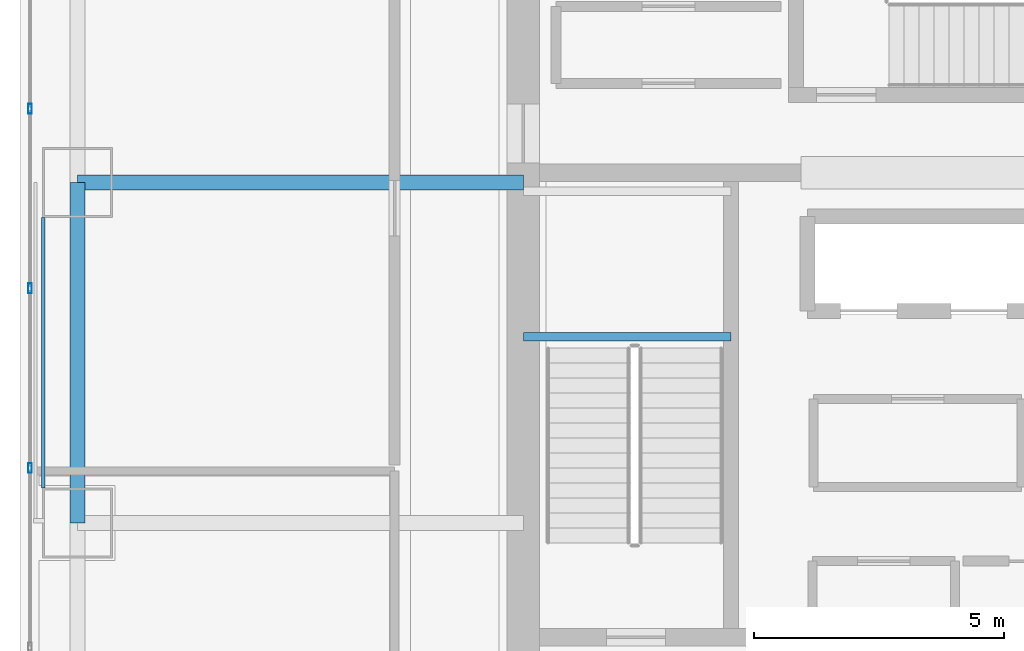
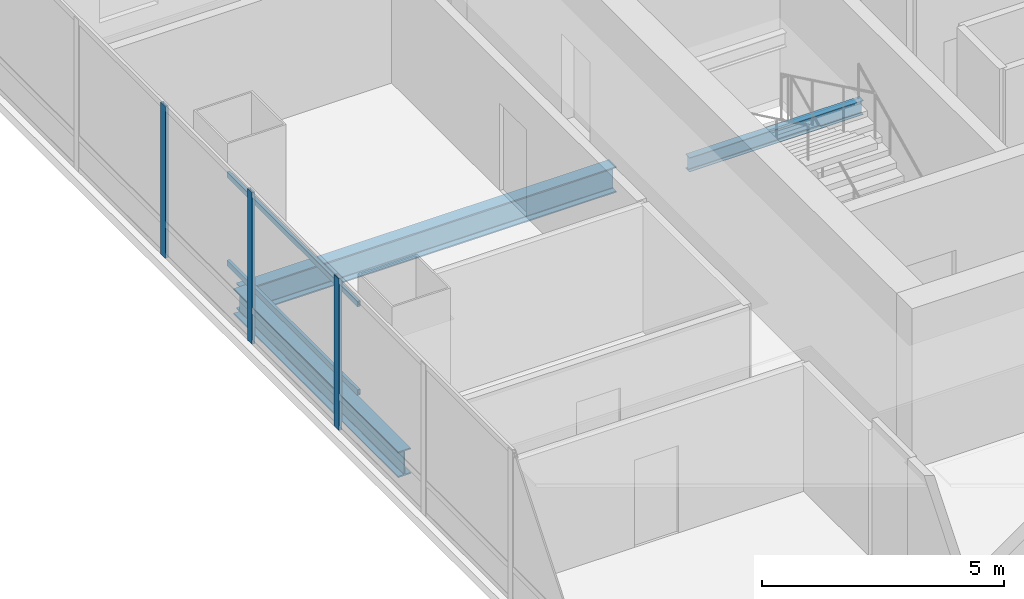
# One storey, part 11 of 37: 5 members, 3 beams, 1 element without a shape of its own.
"""IFC4 building model written with IfcOpenShell, lengths in metres."""

from ifc_helpers import new_model, si_unit, direction, frame, origin, origin_2d, place, context, subcontext, project, spatial, hollow_rectangle, i_section, extrude, material, material_profile, profile_set, type_object, element, aggregate, save


model = new_model("IFC4")

# Units and contexts
model_context = context("Model", 3, precision=1e-05, world=origin(), true_north=direction((0.0, 1.0)))
body_context = subcontext(model_context, "Body", "Model", "MODEL_VIEW")
ifc_project = project(units=[si_unit("LENGTHUNIT", "METRE"), si_unit("AREAUNIT", "SQUARE_METRE"), si_unit("VOLUMEUNIT", "CUBIC_METRE"), si_unit("PLANEANGLEUNIT", "RADIAN"), si_unit("MASSUNIT", "GRAM", prefix="KILO")], contexts=[model_context])

# Site, building, storey
site_placement = place(None, origin())
site = spatial("IfcSite", under=ifc_project, at=site_placement, CompositionType="ELEMENT")
building_placement = place(site_placement, origin())
building = spatial("IfcBuilding", under=site, at=building_placement, Name="Punatoya Terracotta Tower", CompositionType="ELEMENT")
storey_placement = place(building_placement, frame((0.0, 0.0, 224.85009765625)))
storey = spatial("IfcBuildingStorey", under=building, at=storey_placement, Name="L53", CompositionType="ELEMENT", Elevation=224.85009765625)

# Beams
ifc_material_1 = material(Name="Steel S355", Category="steel")
ifc_material_profile_1 = material_profile(ifc_material_1, i_section(OverallWidth=0.300048828125, OverallDepth=0.64990234375, WebThickness=0.01611328125, FlangeThickness=0.031005859375, FilletRadius=0.01806640625, at=origin_2d()))
ifc_profile_set_1 = profile_set([ifc_material_profile_1], Name="Steel S355")
beam_type_1 = type_object("IfcBeamType", Name="BM-PRI-650", PredefinedType="BEAM", material=ifc_profile_set_1)
beam_1_placement = place(storey_placement, frame((-19.10009765625, -3.39990234375, -0.545166015625), z_axis=(0.0, 1.0, 0.0), x_axis=(-1.0, 0.0, 0.0)))
element("IfcBeam", 1, at=beam_1_placement, inside=storey, type_object=beam_type_1, Name="BM-L53-RG-W2", PredefinedType="BEAM", context=body_context, shape_type="SweptSolid", body=[
    extrude(i_section(OverallWidth=0.300048828125, OverallDepth=0.64990234375, WebThickness=0.01611328125, FlangeThickness=0.031005859375, FilletRadius=0.01806640625, at=origin_2d()), origin(), (0.0, 0.0, 1.0), 6.7998046875),
])
beam_2_placement = place(storey_placement, frame((-19.10009765625, 3.39990234375, -0.545166015625), z_axis=(1.0, 0.0, 0.0), x_axis=(0.0, 1.0, 0.0)))
element("IfcBeam", 2, at=beam_2_placement, inside=storey, type_object=beam_type_1, Name="BM-L53-PR-WE", PredefinedType="BEAM", context=body_context, shape_type="SweptSolid", body=[
    extrude(i_section(OverallWidth=0.300048828125, OverallDepth=0.64990234375, WebThickness=0.01611328125, FlangeThickness=0.031005859375, FilletRadius=0.01806640625, at=origin_2d()), origin(), (0.0, 0.0, 1.0), 8.900146484375),
])
ifc_material_profile_2 = material_profile(ifc_material_1, i_section(OverallWidth=0.169921875, OverallDepth=0.360107421875, WebThickness=0.008056640625, FlangeThickness=0.0126953125, FilletRadius=0.01806640625, at=origin_2d()))
ifc_profile_set_2 = profile_set([ifc_material_profile_2], Name="Steel S355")
beam_type_2 = type_object("IfcBeamType", Name="BM-SEC-360", PredefinedType="JOIST", material=ifc_profile_set_2)
beam_3_placement = place(storey_placement, frame((-10.199951171875, 0.320068359375, 1.64501953125), z_axis=(1.0, 0.0, 0.0), x_axis=(0.0, 1.0, 0.0)))
element("IfcBeam", 3, at=beam_3_placement, inside=storey, type_object=beam_type_2, Name="BM-L53-ST-1-LD1A", PredefinedType="JOIST", context=body_context, shape_type="SweptSolid", body=[
    extrude(i_section(OverallWidth=0.169921875, OverallDepth=0.360107421875, WebThickness=0.008056640625, FlangeThickness=0.0126953125, FilletRadius=0.01806640625, at=origin_2d()), origin(), (0.0, 0.0, 1.0), 4.14990234375),
])

# Curtain wall, members
ifc_material_2 = material(Name="Aluminium 6063-T6 + Double Low-E Glass", Category="aluminium")
curtain_wall_type = type_object("IfcCurtainWallType", Name="CW-M2", PredefinedType="NOTDEFINED", material=ifc_material_2)
curtain_wall_placement = place(storey_placement, origin())
curtain_wall = element("IfcCurtainWall", 4, at=curtain_wall_placement, inside=storey, type_object=curtain_wall_type, Name="L53 Curtain Wall CW-L53-W11-1", PredefinedType="NOTDEFINED")
ifc_material_3 = material(Name="Aluminium 6063-T6", Category="aluminium")
ifc_material_profile_3 = material_profile(ifc_material_3, hollow_rectangle(XDim=0.072021484375, YDim=0.195068359375, WallThickness=0.00439453125, at=origin_2d()))
ifc_profile_set_3 = profile_set([ifc_material_profile_3], Name="Aluminium 6063-T6")
member_type_1 = type_object("IfcMemberType", Name="CW-MUL-M2", PredefinedType="MULLION", material=ifc_profile_set_3)
member_1_placement = place(storey_placement, frame((-20.050048828125, 4.875, 0.0), z_axis=(0.0, 0.0, 1.0), x_axis=(1.0, 0.0, 0.0)))
member_1 = element("IfcMember", 5, at=member_1_placement, type_object=member_type_1, Name="CW-L53-W11-1 Mullion 02", PredefinedType="MULLION", context=body_context, shape_type="SweptSolid", body=[
    extrude(hollow_rectangle(XDim=0.072021484375, YDim=0.195068359375, WallThickness=0.00439453125, at=origin_2d()), origin(), (0.0, 0.0, 1.0), 3.829833984375),
])
member_2_placement = place(storey_placement, frame((-20.050048828125, 1.28759765625, 0.0), z_axis=(0.0, 0.0, 1.0), x_axis=(1.0, 0.0, 0.0)))
member_2 = element("IfcMember", 6, at=member_2_placement, type_object=member_type_1, Name="CW-L53-W11-1 Mullion 03", PredefinedType="MULLION", context=body_context, shape_type="SweptSolid", body=[
    extrude(hollow_rectangle(XDim=0.072021484375, YDim=0.195068359375, WallThickness=0.00439453125, at=origin_2d()), origin(), (0.0, 0.0, 1.0), 3.829833984375),
])
member_3_placement = place(storey_placement, frame((-20.050048828125, -2.2998046875, 0.0), z_axis=(0.0, 0.0, 1.0), x_axis=(1.0, 0.0, 0.0)))
member_3 = element("IfcMember", 7, at=member_3_placement, type_object=member_type_1, Name="CW-L53-W11-1 Mullion 04", PredefinedType="MULLION", context=body_context, shape_type="SweptSolid", body=[
    extrude(hollow_rectangle(XDim=0.072021484375, YDim=0.195068359375, WallThickness=0.00439453125, at=origin_2d()), origin(), (0.0, 0.0, 1.0), 3.829833984375),
])
aggregate(curtain_wall, [member_1, member_2, member_3])

# Members
ifc_material_profile_4 = material_profile(ifc_material_1, hollow_rectangle(XDim=0.070068359375, YDim=0.139892578125, WallThickness=0.006103515625, at=origin_2d()))
ifc_profile_set_4 = profile_set([ifc_material_profile_4], Name="Steel S355")
member_type_2 = type_object("IfcMemberType", Name="MEM-BAG-RAIL", PredefinedType="USERDEFINED", material=ifc_profile_set_4)
for number, where, z_axis, x_axis, name in (
    (8, (-19.781982421875, -2.700439453125, 1.0498046875), (0.0, 1.0, 0.0), (-1.0, 0.0, 0.0), "L53 Terracotta Baguette Carrier Rail BAG-L53-W-R1"),
    (9, (-19.781982421875, -2.700439453125, 3.27978515625), (0.0, 1.0, 0.0), (-1.0, 0.0, 0.0), "L53 Terracotta Baguette Carrier Rail BAG-L53-W-R2"),
):
    element("IfcMember", number, at=place(storey_placement, frame(where, z_axis=z_axis, x_axis=x_axis)), inside=storey, type_object=member_type_2, Name=name, ObjectType="BAGUETTE", PredefinedType="USERDEFINED", context=body_context, shape_type="SweptSolid", body=[
        extrude(hollow_rectangle(XDim=0.070068359375, YDim=0.139892578125, WallThickness=0.006103515625, at=origin_2d()), origin(), (0.0, 0.0, 1.0), 5.40087890625),
    ])

save(model, "model.ifc")
